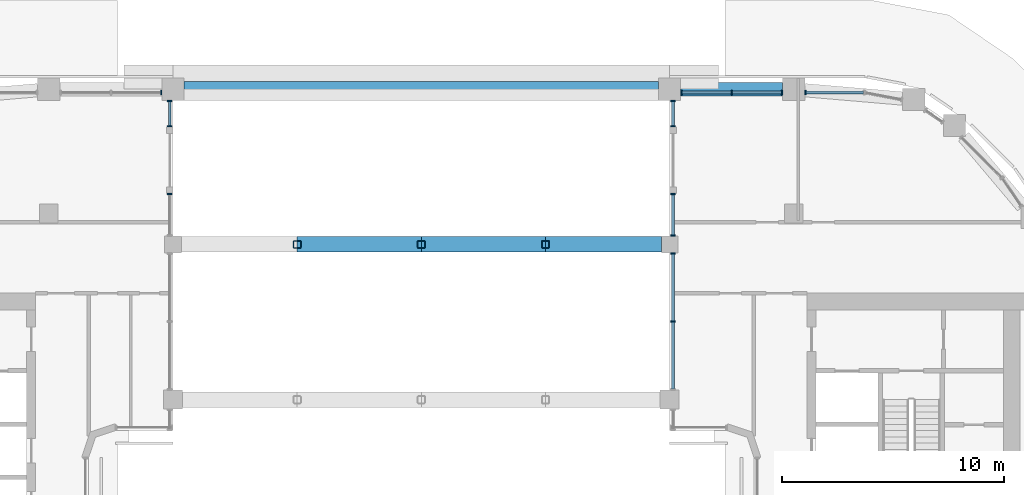
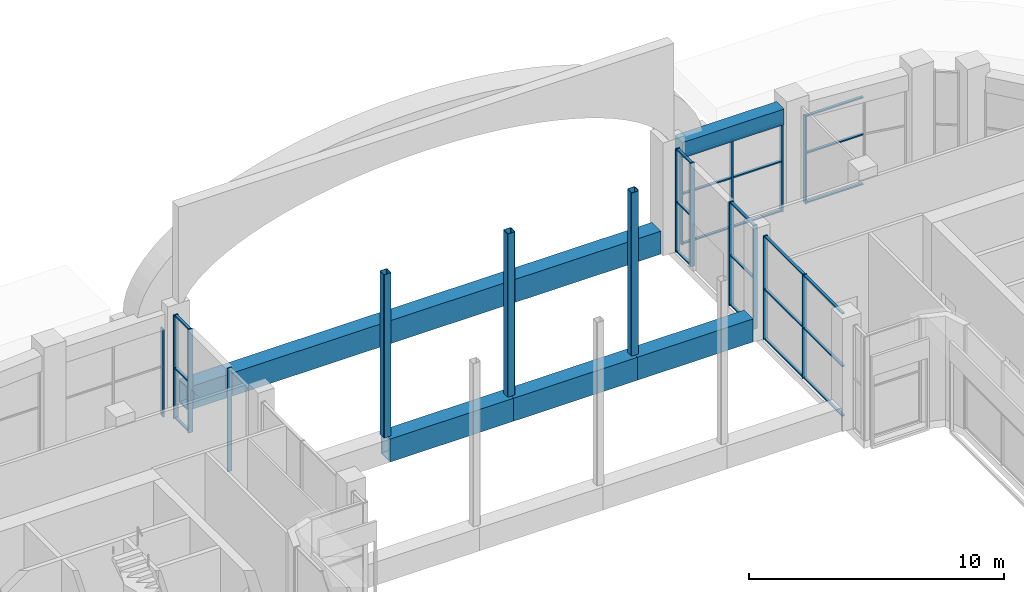
# One storey, part 9 of 28: 45 members, 1 beam, 8 elements without a shape of their own.
"""IFC4 building model written with IfcOpenShell, lengths in metres."""

from ifc_helpers import new_model, si_unit, direction, frame, origin, origin_2d, place, context, subcontext, project, spatial, rectangle, hollow_rectangle, extrude, material, layer, layer_set, material_profile, profile_set, type_object, element, aggregate, save


model = new_model("IFC4")

# Units and contexts
model_context = context("Model", 3, precision=1e-05, world=origin(), true_north=direction((0.0, 1.0)))
body_context = subcontext(model_context, "Body", "Model", "MODEL_VIEW")
ifc_project = project(units=[si_unit("LENGTHUNIT", "METRE"), si_unit("AREAUNIT", "SQUARE_METRE"), si_unit("VOLUMEUNIT", "CUBIC_METRE"), si_unit("PLANEANGLEUNIT", "RADIAN"), si_unit("MASSUNIT", "GRAM", prefix="KILO")], contexts=[model_context])

# Site, building, storey
site_placement = place(None, origin())
site = spatial("IfcSite", under=ifc_project, at=site_placement, CompositionType="ELEMENT")
building_placement = place(site_placement, origin())
building = spatial("IfcBuilding", under=site, at=building_placement, Name="Kiln Ring Residences", CompositionType="ELEMENT")
storey_placement = place(building_placement, frame((0.0, 0.0, 178.10009765625)))
storey = spatial("IfcBuildingStorey", under=building, at=storey_placement, Name="L46", CompositionType="ELEMENT", Elevation=178.10009765625)

# Members
ifc_material_1 = material(Name="Steel S460", Category="steel")
ifc_material_profile_1 = material_profile(ifc_material_1, hollow_rectangle(XDim=0.699951171875, YDim=1.10009765625, WallThickness=0.06005859375, at=origin_2d()), Name="BOX1100x700x60")
ifc_profile_set_1 = profile_set([ifc_material_profile_1], Name="Steel S460")
member_type_1 = type_object("IfcMemberType", Name="Bridge truss chord BOX1100x700x60 S460", PredefinedType="CHORD", material=ifc_profile_set_1)
member_1_placement = place(storey_placement, frame((-10.699951171875, 22.39990234375, 0.5498046875), z_axis=(1.0, 0.0, 0.0), x_axis=(0.0, 1.0, 0.0)))
element("IfcMember", 1, at=member_1_placement, inside=storey, type_object=member_type_1, Name="Bridge truss chord L46 10", PredefinedType="CHORD", context=body_context, shape_type="SweptSolid", body=[
    extrude(hollow_rectangle(XDim=0.699951171875, YDim=1.10009765625, WallThickness=0.06005859375, at=origin_2d()), origin(), (0.0, 0.0, 1.0), 21.39990234375),
])
for number, where, z_axis, x_axis, name in (
    (2, (-5.60009765625, 15.39990234375, 0.5498046875), (1.0, 0.0, 0.0), (0.0, 1.0, 0.0), "Bridge truss chord L46 12"),
    (3, (0.0, 15.39990234375, 0.5498046875), (1.0, 0.0, 0.0), (0.0, 1.0, 0.0), "Bridge truss chord L46 13"),
):
    element("IfcMember", number, at=place(storey_placement, frame(where, z_axis=z_axis, x_axis=x_axis)), inside=storey, type_object=member_type_1, Name=name, PredefinedType="CHORD", context=body_context, shape_type="SweptSolid", body=[
        extrude(hollow_rectangle(XDim=0.699951171875, YDim=1.10009765625, WallThickness=0.06005859375, at=origin_2d()), origin(), (0.0, 0.0, 1.0), 5.60009765625),
    ])
member_2_placement = place(storey_placement, frame((5.60009765625, 15.39990234375, 0.5498046875), z_axis=(1.0, 0.0, 0.0), x_axis=(0.0, 1.0, 0.0)))
element("IfcMember", 4, at=member_2_placement, inside=storey, type_object=member_type_1, Name="Bridge truss chord L46 14", PredefinedType="CHORD", context=body_context, shape_type="SweptSolid", body=[
    extrude(hollow_rectangle(XDim=0.699951171875, YDim=1.10009765625, WallThickness=0.06005859375, at=origin_2d()), origin(), (0.0, 0.0, 1.0), 5.224853515625),
])
ifc_material_2 = material(Name="Steel S355", Category="steel")
ifc_material_profile_2 = material_profile(ifc_material_2, hollow_rectangle(XDim=0.35009765625, YDim=0.35009765625, WallThickness=0.02001953125, InnerFilletRadius=0.02001953125, OuterFilletRadius=0.050048828125, at=origin_2d()), Name="SHS350x350x20")
ifc_profile_set_2 = profile_set([ifc_material_profile_2], Name="Steel S355")
member_type_2 = type_object("IfcMemberType", Name="Bridge truss post SHS350x350x20 S355", PredefinedType="POST", material=ifc_profile_set_2)
for number, where, z_axis, x_axis, name in (
    (5, (-5.60009765625, 15.39990234375, 1.099853515625), (0.0, 0.0, 1.0), (1.0, 0.0, 0.0), "Bridge truss post L46 7"),
    (6, (0.0, 15.39990234375, 1.099853515625), (0.0, 0.0, 1.0), (1.0, 0.0, 0.0), "Bridge truss post L46 8"),
    (7, (5.60009765625, 15.39990234375, 1.099853515625), (0.0, 0.0, 1.0), (1.0, 0.0, 0.0), "Bridge truss post L46 9"),
):
    element("IfcMember", number, at=place(storey_placement, frame(where, z_axis=z_axis, x_axis=x_axis)), inside=storey, type_object=member_type_2, Name=name, PredefinedType="POST", context=body_context, shape_type="SweptSolid", body=[
        extrude(hollow_rectangle(XDim=0.35009765625, YDim=0.35009765625, WallThickness=0.02001953125, InnerFilletRadius=0.02001953125, OuterFilletRadius=0.050048828125, at=origin_2d()), origin(), (0.0, 0.0, 1.0), 7.800048828125),
    ])

# Curtain wall, member
ifc_material_3 = material(Name="Aluminium and glass", Category="aluminium")
ifc_layer = layer(ifc_material_3, 0.199951171875)
ifc_layer_set = layer_set([ifc_layer], Name="CW1 CURTAIN WALL")
curtain_wall_type = type_object("IfcCurtainWallType", Name="CW1 CURTAIN WALL", PredefinedType="NOTDEFINED", material=ifc_layer_set)
placement = place(storey_placement, origin())
curtain_wall_1 = element("IfcCurtainWall", 8, at=placement, inside=storey, type_object=curtain_wall_type, Name="Curtain wall CW1 L46", PredefinedType="NOTDEFINED")
ifc_material_4 = material(Name="Aluminium 6063-T6", Category="aluminium")
ifc_material_profile_3 = material_profile(ifc_material_4, rectangle(XDim=0.199951171875, YDim=0.06005859375, at=origin_2d()), Name="AL 200x60")
ifc_profile_set_3 = profile_set([ifc_material_profile_3], Name="Aluminium 6063-T6")
member_type_3 = type_object("IfcMemberType", Name="CW1 MULLION 200 x 60", PredefinedType="MULLION", material=ifc_profile_set_3)
member_3_placement = place(storey_placement, frame((-11.35009765625, 17.669921875, 0.0), z_axis=(0.0, 0.0, 1.0), x_axis=(-1.0, 0.0, 0.0)))
member_3 = element("IfcMember", 9, at=member_3_placement, type_object=member_type_3, Name="CW1 mullion 2", PredefinedType="MULLION", context=body_context, shape_type="SweptSolid", body=[
    extrude(rectangle(XDim=0.199951171875, YDim=0.06005859375, at=origin_2d()), origin(), (0.0, 0.0, 1.0), 4.949951171875),
])
aggregate(curtain_wall_1, [member_3])

# Curtain wall, members
curtain_wall_2 = element("IfcCurtainWall", 10, at=placement, inside=storey, type_object=curtain_wall_type, Name="Curtain wall CW1 L46", PredefinedType="NOTDEFINED")
member_4_placement = place(storey_placement, frame((-11.35009765625, 20.72998046875, 0.0), z_axis=(0.0, 0.0, 1.0), x_axis=(-1.0, 0.0, 0.0)))
member_4 = element("IfcMember", 11, at=member_4_placement, type_object=member_type_3, Name="CW1 mullion 1", PredefinedType="MULLION", context=body_context, shape_type="SweptSolid", body=[
    extrude(rectangle(XDim=0.199951171875, YDim=0.06005859375, at=origin_2d()), origin(), (0.0, 0.0, 1.0), 4.949951171875),
])
member_5_placement = place(storey_placement, frame((-11.35009765625, 21.8701171875, 0.0), z_axis=(0.0, 0.0, 1.0), x_axis=(-1.0, 0.0, 0.0)))
member_5 = element("IfcMember", 12, at=member_5_placement, type_object=member_type_3, Name="CW1 mullion 2", PredefinedType="MULLION", context=body_context, shape_type="SweptSolid", body=[
    extrude(rectangle(XDim=0.199951171875, YDim=0.06005859375, at=origin_2d()), origin(), (0.0, 0.0, 1.0), 4.949951171875),
])

# Curtain wall, member
curtain_wall_3 = element("IfcCurtainWall", 13, at=placement, inside=storey, type_object=curtain_wall_type, Name="Curtain wall CW1 L46", PredefinedType="NOTDEFINED")
member_6_placement = place(storey_placement, frame((-11.72998046875, 22.25, 0.0), z_axis=(0.0, 0.0, 1.0), x_axis=(0.0, -1.0, 0.0)))
member_6 = element("IfcMember", 14, at=member_6_placement, type_object=member_type_3, Name="CW1 mullion 1", PredefinedType="MULLION", context=body_context, shape_type="SweptSolid", body=[
    extrude(rectangle(XDim=0.199951171875, YDim=0.06005859375, at=origin_2d()), origin(), (0.0, 0.0, 1.0), 4.199951171875),
])
aggregate(curtain_wall_3, [member_6])

curtain_wall_4 = element("IfcCurtainWall", 15, at=placement, inside=storey, type_object=curtain_wall_type, Name="Curtain wall CW1 L46", PredefinedType="NOTDEFINED")
member_7_placement = place(storey_placement, frame((17.330078125, 22.25, 0.0), z_axis=(0.0, 0.0, 1.0), x_axis=(0.0, -1.0, 0.0)))
member_7 = element("IfcMember", 16, at=member_7_placement, type_object=member_type_3, Name="CW1 mullion 2", PredefinedType="MULLION", context=body_context, shape_type="SweptSolid", body=[
    extrude(rectangle(XDim=0.199951171875, YDim=0.06005859375, at=origin_2d()), origin(), (0.0, 0.0, 1.0), 4.199951171875),
])

# Curtain wall, members
curtain_wall_5 = element("IfcCurtainWall", 17, at=placement, inside=storey, type_object=curtain_wall_type, Name="Curtain wall CW1 L46", PredefinedType="NOTDEFINED")
member_8_placement = place(storey_placement, frame((16.27001953125, 22.25, 0.0), z_axis=(0.0, 0.0, 1.0), x_axis=(0.0, -1.0, 0.0)))
member_8 = element("IfcMember", 18, at=member_8_placement, type_object=member_type_3, Name="CW1 mullion 1", PredefinedType="MULLION", context=body_context, shape_type="SweptSolid", body=[
    extrude(rectangle(XDim=0.199951171875, YDim=0.06005859375, at=origin_2d()), origin(), (0.0, 0.0, 1.0), 4.199951171875),
])
member_9_placement = place(storey_placement, frame((14.0, 22.25, 0.0), z_axis=(0.0, 0.0, 1.0), x_axis=(0.0, -1.0, 0.0)))
member_9 = element("IfcMember", 19, at=member_9_placement, type_object=member_type_3, Name="CW1 mullion 2", PredefinedType="MULLION", context=body_context, shape_type="SweptSolid", body=[
    extrude(rectangle(XDim=0.199951171875, YDim=0.06005859375, at=origin_2d()), origin(), (0.0, 0.0, 1.0), 4.199951171875),
])
member_10_placement = place(storey_placement, frame((11.72998046875, 22.25, 0.0), z_axis=(0.0, 0.0, 1.0), x_axis=(0.0, -1.0, 0.0)))
member_10 = element("IfcMember", 20, at=member_10_placement, type_object=member_type_3, Name="CW1 mullion 3", PredefinedType="MULLION", context=body_context, shape_type="SweptSolid", body=[
    extrude(rectangle(XDim=0.199951171875, YDim=0.06005859375, at=origin_2d()), origin(), (0.0, 0.0, 1.0), 4.199951171875),
])

curtain_wall_6 = element("IfcCurtainWall", 21, at=placement, inside=storey, type_object=curtain_wall_type, Name="Curtain wall CW1 L46", PredefinedType="NOTDEFINED")
member_11_placement = place(storey_placement, frame((11.35009765625, 21.8701171875, 0.0), z_axis=(0.0, 0.0, 1.0), x_axis=(1.0, 0.0, 0.0)))
member_11 = element("IfcMember", 22, at=member_11_placement, type_object=member_type_3, Name="CW1 mullion 1", PredefinedType="MULLION", context=body_context, shape_type="SweptSolid", body=[
    extrude(rectangle(XDim=0.199951171875, YDim=0.06005859375, at=origin_2d()), origin(), (0.0, 0.0, 1.0), 4.949951171875),
])
member_12_placement = place(storey_placement, frame((11.35009765625, 20.72998046875, 0.0), z_axis=(0.0, 0.0, 1.0), x_axis=(1.0, 0.0, 0.0)))
member_12 = element("IfcMember", 23, at=member_12_placement, type_object=member_type_3, Name="CW1 mullion 2", PredefinedType="MULLION", context=body_context, shape_type="SweptSolid", body=[
    extrude(rectangle(XDim=0.199951171875, YDim=0.06005859375, at=origin_2d()), origin(), (0.0, 0.0, 1.0), 4.949951171875),
])

curtain_wall_7 = element("IfcCurtainWall", 24, at=placement, inside=storey, type_object=curtain_wall_type, Name="Curtain wall CW1 L46", PredefinedType="NOTDEFINED")
member_13_placement = place(storey_placement, frame((11.35009765625, 17.669921875, 0.0), z_axis=(0.0, 0.0, 1.0), x_axis=(1.0, 0.0, 0.0)))
member_13 = element("IfcMember", 25, at=member_13_placement, type_object=member_type_3, Name="CW1 mullion 1", PredefinedType="MULLION", context=body_context, shape_type="SweptSolid", body=[
    extrude(rectangle(XDim=0.199951171875, YDim=0.06005859375, at=origin_2d()), origin(), (0.0, 0.0, 1.0), 4.949951171875),
])
member_14_placement = place(storey_placement, frame((11.35009765625, 15.804931640625, 0.0), z_axis=(0.0, 0.0, 1.0), x_axis=(1.0, 0.0, 0.0)))
member_14 = element("IfcMember", 26, at=member_14_placement, type_object=member_type_3, Name="CW1 mullion 2", PredefinedType="MULLION", context=body_context, shape_type="SweptSolid", body=[
    extrude(rectangle(XDim=0.199951171875, YDim=0.06005859375, at=origin_2d()), origin(), (0.0, 0.0, 1.0), 4.949951171875),
])

curtain_wall_8 = element("IfcCurtainWall", 27, at=placement, inside=storey, type_object=curtain_wall_type, Name="Curtain wall CW1 L46", PredefinedType="NOTDEFINED")
member_15_placement = place(storey_placement, frame((11.35009765625, 14.9951171875, 0.0), z_axis=(0.0, 0.0, 1.0), x_axis=(1.0, 0.0, 0.0)))
member_15 = element("IfcMember", 28, at=member_15_placement, type_object=member_type_3, Name="CW1 mullion 1", PredefinedType="MULLION", context=body_context, shape_type="SweptSolid", body=[
    extrude(rectangle(XDim=0.199951171875, YDim=0.06005859375, at=origin_2d()), origin(), (0.0, 0.0, 1.0), 4.949951171875),
])
member_16_placement = place(storey_placement, frame((11.35009765625, 11.925048828125, 0.0), z_axis=(0.0, 0.0, 1.0), x_axis=(1.0, 0.0, 0.0)))
member_16 = element("IfcMember", 29, at=member_16_placement, type_object=member_type_3, Name="CW1 mullion 2", PredefinedType="MULLION", context=body_context, shape_type="SweptSolid", body=[
    extrude(rectangle(XDim=0.199951171875, YDim=0.06005859375, at=origin_2d()), origin(), (0.0, 0.0, 1.0), 4.949951171875),
])

# Member
ifc_material_5 = material(Name="Aluminium 6063-T6", Category="aluminium")
ifc_material_profile_4 = material_profile(ifc_material_5, rectangle(XDim=0.1201171875, YDim=0.06005859375, at=origin_2d()), Name="AL 120x60")
ifc_profile_set_4 = profile_set([ifc_material_profile_4], Name="Aluminium 6063-T6")
member_type_4 = type_object("IfcMemberType", Name="CW1 TRANSOM 120 x 60", PredefinedType="USERDEFINED", material=ifc_profile_set_4)
member_17_placement = place(storey_placement, frame((-11.35009765625, 20.760009765625, 0.02978515625), z_axis=(0.0, 1.0, 0.0), x_axis=(-1.0, 0.0, 0.0)))
member_17 = element("IfcMember", 30, at=member_17_placement, type_object=member_type_4, Name="CW1 transom 1.1", ObjectType="TRANSOM", PredefinedType="USERDEFINED", context=body_context, shape_type="SweptSolid", body=[
    extrude(rectangle(XDim=0.1201171875, YDim=0.06005859375, at=origin_2d()), origin(), (0.0, 0.0, 1.0), 1.080078125),
])

member_18_placement = place(storey_placement, frame((-11.35009765625, 20.760009765625, 2.39990234375), z_axis=(0.0, 1.0, 0.0), x_axis=(-1.0, 0.0, 0.0)))
member_18 = element("IfcMember", 31, at=member_18_placement, type_object=member_type_4, Name="CW1 transom 1.2", ObjectType="TRANSOM", PredefinedType="USERDEFINED", context=body_context, shape_type="SweptSolid", body=[
    extrude(rectangle(XDim=0.1201171875, YDim=0.06005859375, at=origin_2d()), origin(), (0.0, 0.0, 1.0), 1.080078125),
])

member_19_placement = place(storey_placement, frame((-11.35009765625, 20.760009765625, 4.919921875), z_axis=(0.0, 1.0, 0.0), x_axis=(-1.0, 0.0, 0.0)))
member_19 = element("IfcMember", 32, at=member_19_placement, type_object=member_type_4, Name="CW1 transom 1.3", ObjectType="TRANSOM", PredefinedType="USERDEFINED", context=body_context, shape_type="SweptSolid", body=[
    extrude(rectangle(XDim=0.1201171875, YDim=0.06005859375, at=origin_2d()), origin(), (0.0, 0.0, 1.0), 1.080078125),
])

aggregate(curtain_wall_2, [member_4, member_5, member_17, member_18, member_19])

member_20_placement = place(storey_placement, frame((19.93994140625, 22.25, 0.02978515625), z_axis=(-1.0, 0.0, 0.0), x_axis=(0.0, -1.0, 0.0)))
member_20 = element("IfcMember", 33, at=member_20_placement, type_object=member_type_4, Name="CW1 transom 1.1", ObjectType="TRANSOM", PredefinedType="USERDEFINED", context=body_context, shape_type="SweptSolid", body=[
    extrude(rectangle(XDim=0.1201171875, YDim=0.06005859375, at=origin_2d()), origin(), (0.0, 0.0, 1.0), 2.579833984375),
])

member_21_placement = place(storey_placement, frame((19.93994140625, 22.25, 2.39990234375), z_axis=(-1.0, 0.0, 0.0), x_axis=(0.0, -1.0, 0.0)))
member_21 = element("IfcMember", 34, at=member_21_placement, type_object=member_type_4, Name="CW1 transom 1.2", ObjectType="TRANSOM", PredefinedType="USERDEFINED", context=body_context, shape_type="SweptSolid", body=[
    extrude(rectangle(XDim=0.1201171875, YDim=0.06005859375, at=origin_2d()), origin(), (0.0, 0.0, 1.0), 2.579833984375),
])

member_22_placement = place(storey_placement, frame((19.93994140625, 22.25, 4.169921875), z_axis=(-1.0, 0.0, 0.0), x_axis=(0.0, -1.0, 0.0)))
member_22 = element("IfcMember", 35, at=member_22_placement, type_object=member_type_4, Name="CW1 transom 1.3", ObjectType="TRANSOM", PredefinedType="USERDEFINED", context=body_context, shape_type="SweptSolid", body=[
    extrude(rectangle(XDim=0.1201171875, YDim=0.06005859375, at=origin_2d()), origin(), (0.0, 0.0, 1.0), 2.579833984375),
])

aggregate(curtain_wall_4, [member_7, member_20, member_21, member_22])

member_23_placement = place(storey_placement, frame((16.239990234375, 22.25, 0.02978515625), z_axis=(-1.0, 0.0, 0.0), x_axis=(0.0, -1.0, 0.0)))
member_23 = element("IfcMember", 36, at=member_23_placement, type_object=member_type_4, Name="CW1 transom 1.1", ObjectType="TRANSOM", PredefinedType="USERDEFINED", context=body_context, shape_type="SweptSolid", body=[
    extrude(rectangle(XDim=0.1201171875, YDim=0.06005859375, at=origin_2d()), origin(), (0.0, 0.0, 1.0), 2.2099609375),
])

member_24_placement = place(storey_placement, frame((16.239990234375, 22.25, 2.39990234375), z_axis=(-1.0, 0.0, 0.0), x_axis=(0.0, -1.0, 0.0)))
member_24 = element("IfcMember", 37, at=member_24_placement, type_object=member_type_4, Name="CW1 transom 1.2", ObjectType="TRANSOM", PredefinedType="USERDEFINED", context=body_context, shape_type="SweptSolid", body=[
    extrude(rectangle(XDim=0.1201171875, YDim=0.06005859375, at=origin_2d()), origin(), (0.0, 0.0, 1.0), 2.2099609375),
])

member_25_placement = place(storey_placement, frame((16.239990234375, 22.25, 4.169921875), z_axis=(-1.0, 0.0, 0.0), x_axis=(0.0, -1.0, 0.0)))
member_25 = element("IfcMember", 38, at=member_25_placement, type_object=member_type_4, Name="CW1 transom 1.3", ObjectType="TRANSOM", PredefinedType="USERDEFINED", context=body_context, shape_type="SweptSolid", body=[
    extrude(rectangle(XDim=0.1201171875, YDim=0.06005859375, at=origin_2d()), origin(), (0.0, 0.0, 1.0), 2.2099609375),
])

member_26_placement = place(storey_placement, frame((13.969970703125, 22.25, 0.02978515625), z_axis=(-1.0, 0.0, 0.0), x_axis=(0.0, -1.0, 0.0)))
member_26 = element("IfcMember", 39, at=member_26_placement, type_object=member_type_4, Name="CW1 transom 2.1", ObjectType="TRANSOM", PredefinedType="USERDEFINED", context=body_context, shape_type="SweptSolid", body=[
    extrude(rectangle(XDim=0.1201171875, YDim=0.06005859375, at=origin_2d()), origin(), (0.0, 0.0, 1.0), 2.2099609375),
])

member_27_placement = place(storey_placement, frame((13.969970703125, 22.25, 2.39990234375), z_axis=(-1.0, 0.0, 0.0), x_axis=(0.0, -1.0, 0.0)))
member_27 = element("IfcMember", 40, at=member_27_placement, type_object=member_type_4, Name="CW1 transom 2.2", ObjectType="TRANSOM", PredefinedType="USERDEFINED", context=body_context, shape_type="SweptSolid", body=[
    extrude(rectangle(XDim=0.1201171875, YDim=0.06005859375, at=origin_2d()), origin(), (0.0, 0.0, 1.0), 2.2099609375),
])

member_28_placement = place(storey_placement, frame((13.969970703125, 22.25, 4.169921875), z_axis=(-1.0, 0.0, 0.0), x_axis=(0.0, -1.0, 0.0)))
member_28 = element("IfcMember", 41, at=member_28_placement, type_object=member_type_4, Name="CW1 transom 2.3", ObjectType="TRANSOM", PredefinedType="USERDEFINED", context=body_context, shape_type="SweptSolid", body=[
    extrude(rectangle(XDim=0.1201171875, YDim=0.06005859375, at=origin_2d()), origin(), (0.0, 0.0, 1.0), 2.2099609375),
])

aggregate(curtain_wall_5, [member_8, member_9, member_10, member_23, member_24, member_25, member_26, member_27, member_28])

member_29_placement = place(storey_placement, frame((11.35009765625, 21.840087890625, 0.02978515625), z_axis=(0.0, -1.0, 0.0), x_axis=(1.0, 0.0, 0.0)))
member_29 = element("IfcMember", 42, at=member_29_placement, type_object=member_type_4, Name="CW1 transom 1.1", ObjectType="TRANSOM", PredefinedType="USERDEFINED", context=body_context, shape_type="SweptSolid", body=[
    extrude(rectangle(XDim=0.1201171875, YDim=0.06005859375, at=origin_2d()), origin(), (0.0, 0.0, 1.0), 1.080078125),
])

member_30_placement = place(storey_placement, frame((11.35009765625, 21.840087890625, 2.39990234375), z_axis=(0.0, -1.0, 0.0), x_axis=(1.0, 0.0, 0.0)))
member_30 = element("IfcMember", 43, at=member_30_placement, type_object=member_type_4, Name="CW1 transom 1.2", ObjectType="TRANSOM", PredefinedType="USERDEFINED", context=body_context, shape_type="SweptSolid", body=[
    extrude(rectangle(XDim=0.1201171875, YDim=0.06005859375, at=origin_2d()), origin(), (0.0, 0.0, 1.0), 1.080078125),
])

member_31_placement = place(storey_placement, frame((11.35009765625, 21.840087890625, 4.919921875), z_axis=(0.0, -1.0, 0.0), x_axis=(1.0, 0.0, 0.0)))
member_31 = element("IfcMember", 44, at=member_31_placement, type_object=member_type_4, Name="CW1 transom 1.3", ObjectType="TRANSOM", PredefinedType="USERDEFINED", context=body_context, shape_type="SweptSolid", body=[
    extrude(rectangle(XDim=0.1201171875, YDim=0.06005859375, at=origin_2d()), origin(), (0.0, 0.0, 1.0), 1.080078125),
])

aggregate(curtain_wall_6, [member_11, member_12, member_29, member_30, member_31])

member_32_placement = place(storey_placement, frame((11.35009765625, 17.639892578125, 0.02978515625), z_axis=(0.0, -1.0, 0.0), x_axis=(1.0, 0.0, 0.0)))
member_32 = element("IfcMember", 45, at=member_32_placement, type_object=member_type_4, Name="CW1 transom 1.1", ObjectType="TRANSOM", PredefinedType="USERDEFINED", context=body_context, shape_type="SweptSolid", body=[
    extrude(rectangle(XDim=0.1201171875, YDim=0.06005859375, at=origin_2d()), origin(), (0.0, 0.0, 1.0), 1.804931640625),
])

member_33_placement = place(storey_placement, frame((11.35009765625, 17.639892578125, 2.39990234375), z_axis=(0.0, -1.0, 0.0), x_axis=(1.0, 0.0, 0.0)))
member_33 = element("IfcMember", 46, at=member_33_placement, type_object=member_type_4, Name="CW1 transom 1.2", ObjectType="TRANSOM", PredefinedType="USERDEFINED", context=body_context, shape_type="SweptSolid", body=[
    extrude(rectangle(XDim=0.1201171875, YDim=0.06005859375, at=origin_2d()), origin(), (0.0, 0.0, 1.0), 1.804931640625),
])

member_34_placement = place(storey_placement, frame((11.35009765625, 17.639892578125, 4.919921875), z_axis=(0.0, -1.0, 0.0), x_axis=(1.0, 0.0, 0.0)))
member_34 = element("IfcMember", 47, at=member_34_placement, type_object=member_type_4, Name="CW1 transom 1.3", ObjectType="TRANSOM", PredefinedType="USERDEFINED", context=body_context, shape_type="SweptSolid", body=[
    extrude(rectangle(XDim=0.1201171875, YDim=0.06005859375, at=origin_2d()), origin(), (0.0, 0.0, 1.0), 1.804931640625),
])

aggregate(curtain_wall_7, [member_13, member_14, member_32, member_33, member_34])

member_35_placement = place(storey_placement, frame((11.35009765625, 14.965087890625, 0.02978515625), z_axis=(0.0, -1.0, 0.0), x_axis=(1.0, 0.0, 0.0)))
member_35 = element("IfcMember", 48, at=member_35_placement, type_object=member_type_4, Name="CW1 transom 1.1", ObjectType="TRANSOM", PredefinedType="USERDEFINED", context=body_context, shape_type="SweptSolid", body=[
    extrude(rectangle(XDim=0.1201171875, YDim=0.06005859375, at=origin_2d()), origin(), (0.0, 0.0, 1.0), 3.010009765625),
])

member_36_placement = place(storey_placement, frame((11.35009765625, 14.965087890625, 2.39990234375), z_axis=(0.0, -1.0, 0.0), x_axis=(1.0, 0.0, 0.0)))
member_36 = element("IfcMember", 49, at=member_36_placement, type_object=member_type_4, Name="CW1 transom 1.2", ObjectType="TRANSOM", PredefinedType="USERDEFINED", context=body_context, shape_type="SweptSolid", body=[
    extrude(rectangle(XDim=0.1201171875, YDim=0.06005859375, at=origin_2d()), origin(), (0.0, 0.0, 1.0), 3.010009765625),
])

member_37_placement = place(storey_placement, frame((11.35009765625, 14.965087890625, 4.919921875), z_axis=(0.0, -1.0, 0.0), x_axis=(1.0, 0.0, 0.0)))
member_37 = element("IfcMember", 50, at=member_37_placement, type_object=member_type_4, Name="CW1 transom 1.3", ObjectType="TRANSOM", PredefinedType="USERDEFINED", context=body_context, shape_type="SweptSolid", body=[
    extrude(rectangle(XDim=0.1201171875, YDim=0.06005859375, at=origin_2d()), origin(), (0.0, 0.0, 1.0), 3.010009765625),
])

member_38_placement = place(storey_placement, frame((11.35009765625, 11.89501953125, 0.02978515625), z_axis=(0.0, -1.0, 0.0), x_axis=(1.0, 0.0, 0.0)))
member_38 = element("IfcMember", 51, at=member_38_placement, type_object=member_type_4, Name="CW1 transom 2.1", ObjectType="TRANSOM", PredefinedType="USERDEFINED", context=body_context, shape_type="SweptSolid", body=[
    extrude(rectangle(XDim=0.1201171875, YDim=0.06005859375, at=origin_2d()), origin(), (0.0, 0.0, 1.0), 3.010009765625),
])

member_39_placement = place(storey_placement, frame((11.35009765625, 11.89501953125, 2.39990234375), z_axis=(0.0, -1.0, 0.0), x_axis=(1.0, 0.0, 0.0)))
member_39 = element("IfcMember", 52, at=member_39_placement, type_object=member_type_4, Name="CW1 transom 2.2", ObjectType="TRANSOM", PredefinedType="USERDEFINED", context=body_context, shape_type="SweptSolid", body=[
    extrude(rectangle(XDim=0.1201171875, YDim=0.06005859375, at=origin_2d()), origin(), (0.0, 0.0, 1.0), 3.010009765625),
])

member_40_placement = place(storey_placement, frame((11.35009765625, 11.89501953125, 4.919921875), z_axis=(0.0, -1.0, 0.0), x_axis=(1.0, 0.0, 0.0)))
member_40 = element("IfcMember", 53, at=member_40_placement, type_object=member_type_4, Name="CW1 transom 2.3", ObjectType="TRANSOM", PredefinedType="USERDEFINED", context=body_context, shape_type="SweptSolid", body=[
    extrude(rectangle(XDim=0.1201171875, YDim=0.06005859375, at=origin_2d()), origin(), (0.0, 0.0, 1.0), 3.010009765625),
])

aggregate(curtain_wall_8, [member_15, member_16, member_35, member_36, member_37, member_38, member_39, member_40])

# Beam
ifc_material_6 = material(Name="Concrete C50/60", Category="concrete")
ifc_material_profile_5 = material_profile(ifc_material_6, rectangle(XDim=0.60009765625, YDim=0.75, at=origin_2d()), Name="RC600x750")
ifc_profile_set_5 = profile_set([ifc_material_profile_5], Name="Concrete C50/60")
beam_type = type_object("IfcBeamType", Name="Spandrel beam RC600x750 C50/60", PredefinedType="SPANDREL", material=ifc_profile_set_5)
beam_placement = place(storey_placement, frame((16.300048828125, 22.39990234375, 4.574951171875), z_axis=(-1.0, 0.0, 0.0), x_axis=(0.0, -1.0, 0.0)))
element("IfcBeam", 54, at=beam_placement, inside=storey, type_object=beam_type, Name="Spandrel beam L46 14", PredefinedType="SPANDREL", context=body_context, shape_type="SweptSolid", body=[
    extrude(rectangle(XDim=0.60009765625, YDim=0.75, at=origin_2d()), origin(), (0.0, 0.0, 1.0), 4.60009765625),
])

save(model, "model.ifc")
